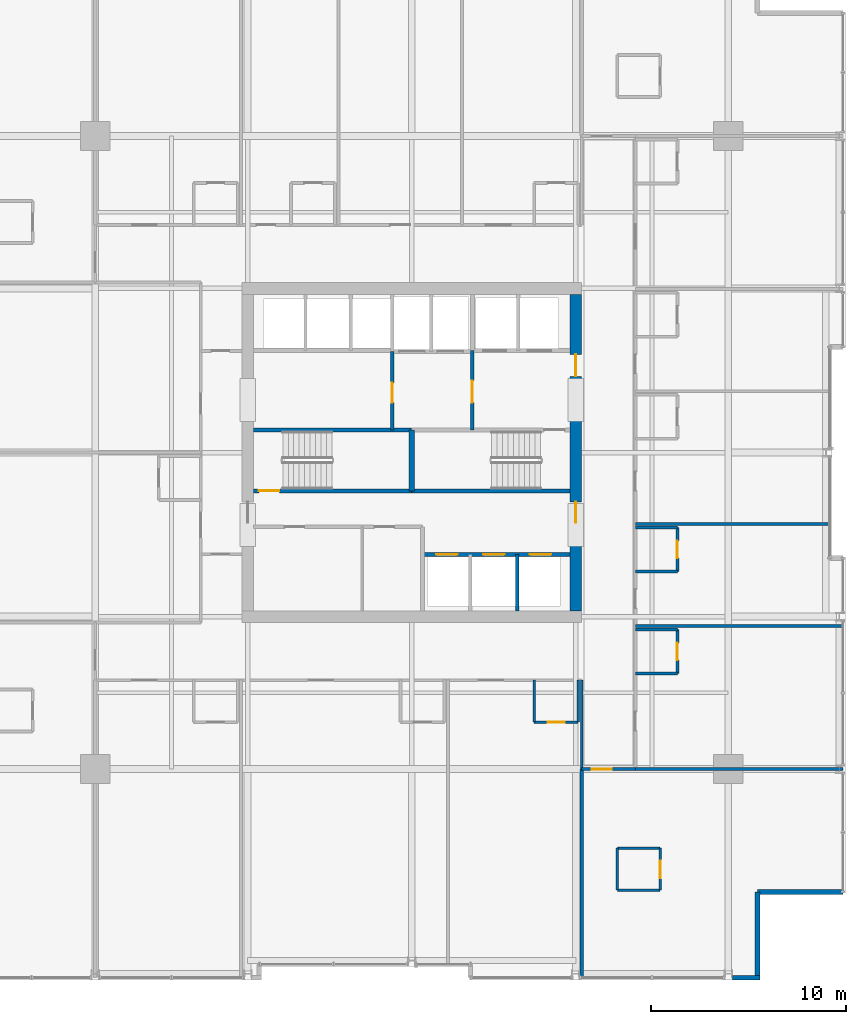
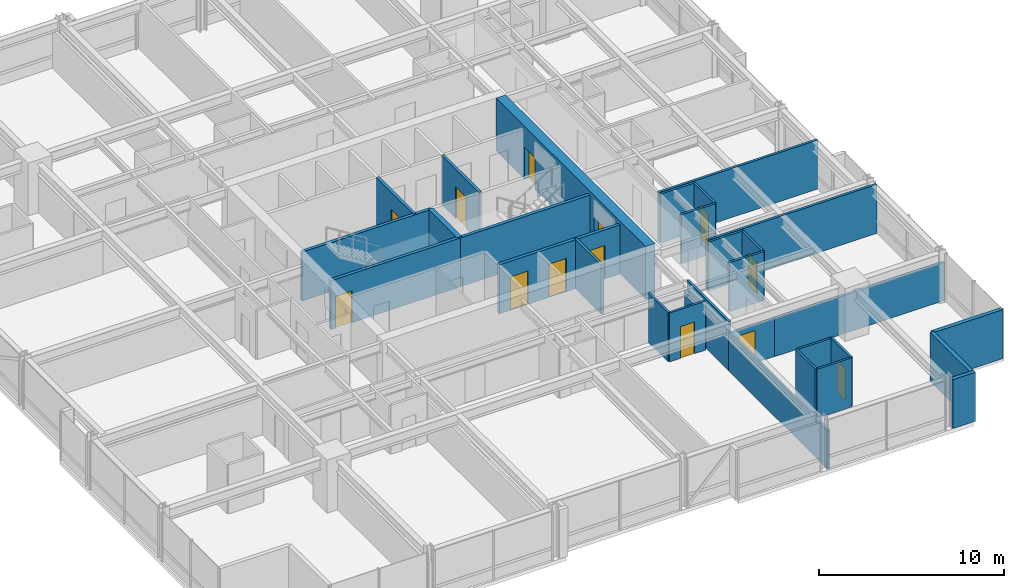
# One storey, part 29 of 35: 31 walls, 13 doors, 13 openings.
"""IFC4 building model written with IfcOpenShell, lengths in metres."""

from ifc_helpers import new_model, si_unit, direction, frame, frame_2d, origin, place, context, subcontext, project, spatial, rectangle, extrude, material, layer, layer_set, type_object, element, fill, save


model = new_model("IFC4")

# Units and contexts
model_context = context("Model", 3, precision=1e-05, world=origin(), true_north=direction((0.0, 1.0)))
body_context = subcontext(model_context, "Body", "Model", "MODEL_VIEW")
ifc_project = project(units=[si_unit("LENGTHUNIT", "METRE"), si_unit("AREAUNIT", "SQUARE_METRE"), si_unit("VOLUMEUNIT", "CUBIC_METRE"), si_unit("PLANEANGLEUNIT", "RADIAN"), si_unit("MASSUNIT", "GRAM", prefix="KILO")], contexts=[model_context])

# Site, building, storey
site_placement = place(None, origin())
site = spatial("IfcSite", under=ifc_project, at=site_placement, CompositionType="ELEMENT")
building_placement = place(site_placement, origin())
building = spatial("IfcBuilding", under=site, at=building_placement, Name="Drelvath Grand Hotel", CompositionType="ELEMENT")
storey_placement = place(building_placement, frame((0.0, 0.0, 123.300048828125)))
storey = spatial("IfcBuildingStorey", under=building, at=storey_placement, Name="L31", CompositionType="ELEMENT", Elevation=123.300048828125)

# Wall, openings, doors
ifc_material_1 = material(Name="Concrete C40/50", Category="concrete")
ifc_layer_1 = layer(ifc_material_1, 0.199951171875)
ifc_layer_set_1 = layer_set([ifc_layer_1], Name="Concrete C40/50")
wall_type_1 = type_object("IfcWallType", Name="Core Hoistway Fire Wall 200", PredefinedType="SOLIDWALL", material=ifc_layer_set_1)
wall_1_placement = place(storey_placement, frame((8.10009765625, 21.780029296875, 0.0), z_axis=(0.0, 0.0, 1.0), x_axis=(-1.0, 0.0, 0.0)))
wall_1 = element("IfcWall", 1, at=wall_1_placement, inside=storey, type_object=wall_type_1, Name="L31 Bank 2 Hoistway Wall", PredefinedType="SOLIDWALL", context=body_context, shape_type="SweptSolid", body=[
    extrude(rectangle(XDim=7.550048828125, YDim=0.199951171875, at=frame_2d((3.77490234375, 0.0))), origin(), (0.0, 0.0, 1.0), 3.239990234375),
])
opening_1_placement = place(wall_1_placement, frame((5.75, 0.0, 0.0)))
opening_1 = element("IfcOpeningElement", 2, at=opening_1_placement, cuts=wall_1, Name="Opening LD-PE-4", PredefinedType="OPENING", context=body_context, shape_type="SweptSolid", body=[
    extrude(rectangle(XDim=1.10009765625, YDim=2.199951171875, at=frame_2d((0.550048828125, 1.10009765625))), frame((0.0, 0.10986328125, 0.0), z_axis=(0.0, -1.0, 0.0), x_axis=(1.0, 0.0, 0.0)), (0.0, 0.0, 1.0), 0.219970703125),
])
opening_2_placement = place(wall_1_placement, frame((3.35009765625, 0.0, 0.0)))
opening_2 = element("IfcOpeningElement", 3, at=opening_2_placement, cuts=wall_1, Name="Opening LD-PE-5", PredefinedType="OPENING", context=body_context, shape_type="SweptSolid", body=[
    extrude(rectangle(XDim=1.10009765625, YDim=2.199951171875, at=frame_2d((0.550048828125, 1.10009765625))), frame((0.0, 0.10986328125, 0.0), z_axis=(0.0, -1.0, 0.0), x_axis=(1.0, 0.0, 0.0)), (0.0, 0.0, 1.0), 0.219970703125),
])
opening_3_placement = place(wall_1_placement, frame((0.949951171875, 0.0, 0.0)))
opening_3 = element("IfcOpeningElement", 4, at=opening_3_placement, cuts=wall_1, Name="Opening LD-PE-6", PredefinedType="OPENING", context=body_context, shape_type="SweptSolid", body=[
    extrude(rectangle(XDim=1.10009765625, YDim=2.199951171875, at=frame_2d((0.550048828125, 1.10009765625))), frame((0.0, 0.10986328125, 0.0), z_axis=(0.0, -1.0, 0.0), x_axis=(1.0, 0.0, 0.0)), (0.0, 0.0, 1.0), 0.219970703125),
])
ifc_material_2 = material(Name="Stainless Steel S355", Category="steel")
door_type_1 = type_object("IfcDoorType", Name="Passenger Lift Sliding Landing Door 1100x2200", OperationType="NOTDEFINED", PredefinedType="DOOR", material=ifc_material_2)
door_1_placement = place(opening_1_placement, origin())
door_1 = element("IfcDoor", 5, at=door_1_placement, inside=storey, type_object=door_type_1, Name="L31 Lift PE-4 Landing Door", OperationType="SLIDING_TO_LEFT", OverallHeight=2.199951171875, OverallWidth=1.10009765625, PredefinedType="DOOR", context=body_context, shape_type="SweptSolid", body=[
    extrude(rectangle(XDim=1.10009765625, YDim=2.199951171875, at=frame_2d((0.550048828125, 1.10009765625))), frame((0.0, 0.02490234375, 0.0), z_axis=(0.0, -1.0, 0.0), x_axis=(1.0, 0.0, 0.0)), (0.0, 0.0, 1.0), 0.050048828125),
])
fill(opening_1, door_1)
door_2_placement = place(opening_2_placement, origin())
door_2 = element("IfcDoor", 6, at=door_2_placement, inside=storey, type_object=door_type_1, Name="L31 Lift PE-5 Landing Door", OperationType="SLIDING_TO_LEFT", OverallHeight=2.199951171875, OverallWidth=1.10009765625, PredefinedType="DOOR", context=body_context, shape_type="SweptSolid", body=[
    extrude(rectangle(XDim=1.10009765625, YDim=2.199951171875, at=frame_2d((0.550048828125, 1.10009765625))), frame((0.0, 0.02490234375, 0.0), z_axis=(0.0, -1.0, 0.0), x_axis=(1.0, 0.0, 0.0)), (0.0, 0.0, 1.0), 0.050048828125),
])
fill(opening_2, door_2)
door_3_placement = place(opening_3_placement, origin())
door_3 = element("IfcDoor", 7, at=door_3_placement, inside=storey, type_object=door_type_1, Name="L31 Lift PE-6 Landing Door", OperationType="SLIDING_TO_LEFT", OverallHeight=2.199951171875, OverallWidth=1.10009765625, PredefinedType="DOOR", context=body_context, shape_type="SweptSolid", body=[
    extrude(rectangle(XDim=1.10009765625, YDim=2.199951171875, at=frame_2d((0.550048828125, 1.10009765625))), frame((0.0, 0.02490234375, 0.0), z_axis=(0.0, -1.0, 0.0), x_axis=(1.0, 0.0, 0.0)), (0.0, 0.0, 1.0), 0.050048828125),
])
fill(opening_3, door_3)

# Wall, opening, door
ifc_layer_2 = layer(ifc_material_1, 0.199951171875)
ifc_layer_set_2 = layer_set([ifc_layer_2], Name="Concrete C40/50")
wall_type_2 = type_object("IfcWallType", Name="Core Shaft Fire Wall 200", PredefinedType="SOLIDWALL", material=ifc_layer_set_2)
wall_2_placement = place(storey_placement, frame((-8.10009765625, 25.0400390625, 0.0), z_axis=(0.0, 0.0, 1.0), x_axis=(1.0, 0.0, 0.0)))
wall_2 = element("IfcWall", 8, at=wall_2_placement, inside=storey, type_object=wall_type_2, Name="L31 Stair ST-1 South Wall", PredefinedType="SOLIDWALL", context=body_context, shape_type="SweptSolid", body=[
    extrude(rectangle(XDim=8.10009765625, YDim=0.199951171875, at=frame_2d((4.050048828125, 0.0))), origin(), (0.0, 0.0, 1.0), 3.239990234375),
])
opening_4_placement = place(wall_2_placement, frame((0.280029296875, 0.0, 0.0)))
opening_4 = element("IfcOpeningElement", 9, at=opening_4_placement, cuts=wall_2, Name="Opening D-T2G4-001", PredefinedType="OPENING", context=body_context, shape_type="SweptSolid", body=[
    extrude(rectangle(XDim=1.050048828125, YDim=2.10009765625, at=frame_2d((0.52490234375, 1.050048828125))), frame((0.0, 0.10986328125, 0.0), z_axis=(0.0, -1.0, 0.0), x_axis=(1.0, 0.0, 0.0)), (0.0, 0.0, 1.0), 0.219970703125),
])
ifc_material_3 = material(Name="Painted Steel S275", Category="steel")
door_type_2 = type_object("IfcDoorType", Name="Tower Stairwell Fire Door 1050x2100", OperationType="NOTDEFINED", PredefinedType="DOOR", material=ifc_material_3)
door_4_placement = place(opening_4_placement, origin())
door_4 = element("IfcDoor", 10, at=door_4_placement, inside=storey, type_object=door_type_2, Name="L31 Exit Stair ST-1 Door", OperationType="SINGLE_SWING_LEFT", OverallHeight=2.10009765625, OverallWidth=1.050048828125, PredefinedType="DOOR", context=body_context, shape_type="SweptSolid", body=[
    extrude(rectangle(XDim=1.050048828125, YDim=2.10009765625, at=frame_2d((0.52490234375, 1.050048828125))), frame((0.0, 0.02490234375, 0.0), z_axis=(0.0, -1.0, 0.0), x_axis=(1.0, 0.0, 0.0)), (0.0, 0.0, 1.0), 0.050048828125),
])
fill(opening_4, door_4)

# Walls
for number, where, z_axis, x_axis, name in (
    (11, (-8.10009765625, 28.159912109375, 0.0), (0.0, 0.0, 1.0), (1.0, 0.0, 0.0), "L31 Stair ST-1 North Wall"),
    (12, (0.0, 25.0400390625, 0.0), (0.0, 0.0, 1.0), (1.0, 0.0, 0.0), "L31 Stair ST-2 South Wall"),
):
    element("IfcWall", number, at=place(storey_placement, frame(where, z_axis=z_axis, x_axis=x_axis)), inside=storey, type_object=wall_type_2, Name=name, PredefinedType="SOLIDWALL", context=body_context, shape_type="SweptSolid", body=[
        extrude(rectangle(XDim=8.10009765625, YDim=0.199951171875, at=frame_2d((4.050048828125, 0.0))), origin(), (0.0, 0.0, 1.0), 3.239990234375),
    ])
ifc_layer_3 = layer(ifc_material_1, 0.300048828125)
ifc_layer_set_3 = layer_set([ifc_layer_3], Name="Concrete C40/50")
wall_type_3 = type_object("IfcWallType", Name="Core Shaft Fire Wall 300", PredefinedType="SOLIDWALL", material=ifc_layer_set_3)
wall_3_placement = place(storey_placement, frame((0.0, 25.0400390625, 0.0), z_axis=(0.0, 0.0, 1.0), x_axis=(0.0, 1.0, 0.0)))
element("IfcWall", 13, at=wall_3_placement, inside=storey, type_object=wall_type_3, Name="L31 Core Stair Divider Wall", PredefinedType="SOLIDWALL", context=body_context, shape_type="SweptSolid", body=[
    extrude(rectangle(XDim=3.119873046875, YDim=0.300048828125, at=frame_2d((1.56005859375, 0.0))), origin(), (0.0, 0.0, 1.0), 3.239990234375),
])
ifc_material_4 = material(Name="Gypsum Fireboard Partition")
ifc_layer_4 = layer(ifc_material_4, 0.1650390625)
ifc_layer_set_4 = layer_set([ifc_layer_4], Name="Gypsum Fireboard Partition")
wall_type_4 = type_object("IfcWallType", Name="Core Shaft Partition 165", PredefinedType="PARTITIONING", material=ifc_layer_set_4)
wall_4_placement = place(storey_placement, frame((5.39990234375, 18.89990234375, 0.0), z_axis=(0.0, 0.0, 1.0), x_axis=(0.0, 1.0, 0.0)))
element("IfcWall", 14, at=wall_4_placement, inside=storey, type_object=wall_type_4, Name="L31 Lift PE-5/6 Divider", PredefinedType="PARTITIONING", context=body_context, shape_type="SweptSolid", body=[
    extrude(rectangle(XDim=2.880126953125, YDim=0.1650390625, at=frame_2d((1.43994140625, 0.0))), origin(), (0.0, 0.0, 1.0), 3.239990234375),
])
ifc_layer_5 = layer(ifc_material_4, 0.135009765625)
ifc_layer_set_5 = layer_set([ifc_layer_5], Name="Gypsum Fireboard Partition")
wall_type_5 = type_object("IfcWallType", Name="Corridor Fire Barrier Wall 135", PredefinedType="PARTITIONING", material=ifc_layer_set_5)
wall_5_placement = place(storey_placement, frame((8.699951171875, 10.800048828125, 0.0), z_axis=(0.0, 0.0, 1.0), x_axis=(0.0, 1.0, 0.0)))
element("IfcWall", 15, at=wall_5_placement, inside=storey, type_object=wall_type_5, Name="L31 East Spine South Inner Wall", PredefinedType="PARTITIONING", context=body_context, shape_type="SweptSolid", body=[
    extrude(rectangle(XDim=4.550048828125, YDim=0.135009765625, at=frame_2d((2.27490234375, 0.0))), origin(), (0.0, 0.0, 1.0), 3.239990234375),
])

# Wall, opening, door
wall_6_placement = place(storey_placement, frame((8.699951171875, 10.800048828125, 0.0), z_axis=(0.0, 0.0, 1.0), x_axis=(1.0, 0.0, 0.0)))
wall_6 = element("IfcWall", 16, at=wall_6_placement, inside=storey, type_object=wall_type_5, Name="L31 East Spine South End", PredefinedType="PARTITIONING", context=body_context, shape_type="SweptSolid", body=[
    extrude(rectangle(XDim=2.75, YDim=0.135009765625, at=frame_2d((1.375, 0.0))), origin(), (0.0, 0.0, 1.0), 2.529541015625),
])
opening_5_placement = place(wall_6_placement, frame((0.52001953125, 0.0, 0.0)))
opening_5 = element("IfcOpeningElement", 17, at=opening_5_placement, cuts=wall_6, Name="Opening D-T2G4-024", PredefinedType="OPENING", context=body_context, shape_type="SweptSolid", body=[
    extrude(rectangle(XDim=1.02001953125, YDim=2.14990234375, at=frame_2d((0.510009765625, 1.074951171875))), frame((0.0, 0.077392578125, 0.0), z_axis=(0.0, -1.0, 0.0), x_axis=(1.0, 0.0, 0.0)), (0.0, 0.0, 1.0), 0.155029296875),
])
ifc_material_5 = material(Name="Hardwood Walnut Timber", Category="wood")
door_type_3 = type_object("IfcDoorType", Name="Amenity Meeting Fire Door 1020x2150", OperationType="NOTDEFINED", PredefinedType="DOOR", material=ifc_material_5)
door_5_placement = place(opening_5_placement, origin())
door_5 = element("IfcDoor", 18, at=door_5_placement, inside=storey, type_object=door_type_3, Name="L31 Corner Suite Entry Door", OperationType="SINGLE_SWING_LEFT", OverallHeight=2.14990234375, OverallWidth=1.02001953125, PredefinedType="DOOR", context=body_context, shape_type="SweptSolid", body=[
    extrude(rectangle(XDim=1.02001953125, YDim=2.14990234375, at=frame_2d((0.510009765625, 1.074951171875))), frame((0.0, 0.02490234375, 0.0), z_axis=(0.0, -1.0, 0.0), x_axis=(1.0, 0.0, 0.0)), (0.0, 0.0, 1.0), 0.050048828125),
])
fill(opening_5, door_5)

# Walls
ifc_material_6 = material(Name="Moisture-Resistant Gypsum Board")
ifc_layer_6 = layer(ifc_material_6, 0.139892578125)
ifc_layer_set_6 = layer_set([ifc_layer_6], Name="Moisture-Resistant Gypsum Board")
wall_type_6 = type_object("IfcWallType", Name="En-Suite Plumbing Wall 140", PredefinedType="PLUMBINGWALL", material=ifc_layer_set_6)
for number, where, z_axis, x_axis, name in (
    (19, (10.52001953125, 4.60009765625, 0.0), (0.0, 0.0, 1.0), (1.0, 0.0, 0.0), "L31 Corner En-Suite South"),
    (20, (10.52001953125, 6.75, 0.0), (0.0, 0.0, 1.0), (1.0, 0.0, 0.0), "L31 Corner En-Suite North"),
):
    element("IfcWall", number, at=place(storey_placement, frame(where, z_axis=z_axis, x_axis=x_axis)), inside=storey, type_object=wall_type_6, Name=name, PredefinedType="PLUMBINGWALL", context=body_context, shape_type="SweptSolid", body=[
        extrude(rectangle(XDim=2.199951171875, YDim=0.139892578125, at=frame_2d((1.10009765625, 0.0))), origin(), (0.0, 0.0, 1.0), 3.239990234375),
    ])
wall_7_placement = place(storey_placement, frame((10.52001953125, 4.60009765625, 0.0), z_axis=(0.0, 0.0, 1.0), x_axis=(0.0, 1.0, 0.0)))
element("IfcWall", 21, at=wall_7_placement, inside=storey, type_object=wall_type_6, Name="L31 Corner En-Suite West", PredefinedType="PLUMBINGWALL", context=body_context, shape_type="SweptSolid", body=[
    extrude(rectangle(XDim=2.14990234375, YDim=0.139892578125, at=frame_2d((1.074951171875, 0.0))), origin(), (0.0, 0.0, 1.0), 3.239990234375),
])

# Wall, opening, door
wall_8_placement = place(storey_placement, frame((12.719970703125, 4.60009765625, 0.0), z_axis=(0.0, 0.0, 1.0), x_axis=(0.0, 1.0, 0.0)))
wall_8 = element("IfcWall", 22, at=wall_8_placement, inside=storey, type_object=wall_type_6, Name="L31 Corner En-Suite East", PredefinedType="PLUMBINGWALL", context=body_context, shape_type="SweptSolid", body=[
    extrude(rectangle(XDim=2.14990234375, YDim=0.139892578125, at=frame_2d((1.074951171875, 0.0))), origin(), (0.0, 0.0, 1.0), 3.239990234375),
])
opening_6_placement = place(wall_8_placement, frame((0.6201171875, 0.0, 0.0)))
opening_6 = element("IfcOpeningElement", 23, at=opening_6_placement, cuts=wall_8, Name="Opening D-T2G4-023", PredefinedType="OPENING", context=body_context, shape_type="SweptSolid", body=[
    extrude(rectangle(XDim=0.8798828125, YDim=2.10009765625, at=frame_2d((0.43994140625, 1.050048828125))), frame((0.0, 0.079833984375, 0.0), z_axis=(0.0, -1.0, 0.0), x_axis=(1.0, 0.0, 0.0)), (0.0, 0.0, 1.0), 0.159912109375),
])
door_type_4 = type_object("IfcDoorType", Name="En-Suite Bathroom Door 880x2100", OperationType="NOTDEFINED", PredefinedType="DOOR", material=ifc_material_5)
door_6_placement = place(opening_6_placement, origin())
door_6 = element("IfcDoor", 24, at=door_6_placement, inside=storey, type_object=door_type_4, Name="L31 Corner En-Suite Door", OperationType="SINGLE_SWING_RIGHT", OverallHeight=2.10009765625, OverallWidth=0.8798828125, PredefinedType="DOOR", context=body_context, shape_type="SweptSolid", body=[
    extrude(rectangle(XDim=0.8798828125, YDim=2.10009765625, at=frame_2d((0.43994140625, 1.050048828125))), frame((0.0, 0.02490234375, 0.0), z_axis=(0.0, -1.0, 0.0), x_axis=(1.0, 0.0, 0.0)), (0.0, 0.0, 1.0), 0.050048828125),
])
fill(opening_6, door_6)

# Walls
wall_9_placement = place(storey_placement, frame((6.27001953125, 15.35009765625, 0.0), z_axis=(0.0, 0.0, 1.0), x_axis=(0.0, -1.0, 0.0)))
element("IfcWall", 25, at=wall_9_placement, inside=storey, type_object=wall_type_6, Name="L31 En-Suite Left Wall", PredefinedType="PLUMBINGWALL", context=body_context, shape_type="SweptSolid", body=[
    extrude(rectangle(XDim=2.150146484375, YDim=0.139892578125, at=frame_2d((1.0751953125, 0.0))), origin(), (0.0, 0.0, 1.0), 3.239990234375),
])
wall_10_placement = place(storey_placement, frame((8.52001953125, 15.35009765625, 0.0), z_axis=(0.0, 0.0, 1.0), x_axis=(0.0, -1.0, 0.0)))
element("IfcWall", 26, at=wall_10_placement, inside=storey, type_object=wall_type_6, Name="L31 En-Suite Right Wall", PredefinedType="PLUMBINGWALL", context=body_context, shape_type="SweptSolid", body=[
    extrude(rectangle(XDim=2.150146484375, YDim=0.139892578125, at=frame_2d((1.0751953125, 0.0))), origin(), (0.0, 0.0, 1.0), 2.617431640625),
])

# Wall, opening, door
wall_11_placement = place(storey_placement, frame((6.27001953125, 13.199951171875, 0.0), z_axis=(0.0, 0.0, 1.0), x_axis=(1.0, 0.0, 0.0)))
wall_11 = element("IfcWall", 27, at=wall_11_placement, inside=storey, type_object=wall_type_6, Name="L31 En-Suite Front Wall", PredefinedType="PLUMBINGWALL", context=body_context, shape_type="SweptSolid", body=[
    extrude(rectangle(XDim=2.25, YDim=0.139892578125, at=frame_2d((1.125, 0.0))), origin(), (0.0, 0.0, 1.0), 3.239990234375),
])
opening_7_placement = place(wall_11_placement, frame((0.68505859375, 0.0, 0.0)))
opening_7 = element("IfcOpeningElement", 28, at=opening_7_placement, cuts=wall_11, Name="Opening D-T2G4-031", PredefinedType="OPENING", context=body_context, shape_type="SweptSolid", body=[
    extrude(rectangle(XDim=0.8798828125, YDim=2.10009765625, at=frame_2d((0.43994140625, 1.050048828125))), frame((0.0, 0.079833984375, 0.0), z_axis=(0.0, -1.0, 0.0), x_axis=(1.0, 0.0, 0.0)), (0.0, 0.0, 1.0), 0.159912109375),
])
door_7_placement = place(opening_7_placement, origin())
door_7 = element("IfcDoor", 29, at=door_7_placement, inside=storey, type_object=door_type_4, Name="L31 En-Suite Bathroom Door", OperationType="SINGLE_SWING_RIGHT", OverallHeight=2.10009765625, OverallWidth=0.8798828125, PredefinedType="DOOR", context=body_context, shape_type="SweptSolid", body=[
    extrude(rectangle(XDim=0.8798828125, YDim=2.10009765625, at=frame_2d((0.43994140625, 1.050048828125))), frame((0.0, 0.02490234375, 0.0), z_axis=(0.0, -1.0, 0.0), x_axis=(1.0, 0.0, 0.0)), (0.0, 0.0, 1.0), 0.050048828125),
])
fill(opening_7, door_7)

# Walls
for number, where, z_axis, x_axis, name in (
    (30, (11.449951171875, 15.68603515625, 0.0), (0.0, 0.0, 1.0), (1.0, 0.0, 0.0), "L31 En-Suite Left Wall"),
    (31, (11.449951171875, 17.93603515625, 0.0), (0.0, 0.0, 1.0), (1.0, 0.0, 0.0), "L31 En-Suite Right Wall"),
):
    element("IfcWall", number, at=place(storey_placement, frame(where, z_axis=z_axis, x_axis=x_axis)), inside=storey, type_object=wall_type_6, Name=name, PredefinedType="PLUMBINGWALL", context=body_context, shape_type="SweptSolid", body=[
        extrude(rectangle(XDim=2.150146484375, YDim=0.139892578125, at=frame_2d((1.0751953125, 0.0))), origin(), (0.0, 0.0, 1.0), 3.239990234375),
    ])

# Wall, opening, door
wall_12_placement = place(storey_placement, frame((13.60009765625, 15.68603515625, 0.0), z_axis=(0.0, 0.0, 1.0), x_axis=(0.0, 1.0, 0.0)))
wall_12 = element("IfcWall", 32, at=wall_12_placement, inside=storey, type_object=wall_type_6, Name="L31 En-Suite Front Wall", PredefinedType="PLUMBINGWALL", context=body_context, shape_type="SweptSolid", body=[
    extrude(rectangle(XDim=2.25, YDim=0.139892578125, at=frame_2d((1.125, 0.0))), origin(), (0.0, 0.0, 1.0), 3.239990234375),
])
opening_8_placement = place(wall_12_placement, frame((0.68505859375, 0.0, 0.0)))
opening_8 = element("IfcOpeningElement", 33, at=opening_8_placement, cuts=wall_12, Name="Opening D-T2G4-040", PredefinedType="OPENING", context=body_context, shape_type="SweptSolid", body=[
    extrude(rectangle(XDim=0.8798828125, YDim=2.10009765625, at=frame_2d((0.43994140625, 1.050048828125))), frame((0.0, 0.079833984375, 0.0), z_axis=(0.0, -1.0, 0.0), x_axis=(1.0, 0.0, 0.0)), (0.0, 0.0, 1.0), 0.159912109375),
])
door_8_placement = place(opening_8_placement, origin())
door_8 = element("IfcDoor", 34, at=door_8_placement, inside=storey, type_object=door_type_4, Name="L31 En-Suite Bathroom Door", OperationType="SINGLE_SWING_LEFT", OverallHeight=2.10009765625, OverallWidth=0.8798828125, PredefinedType="DOOR", context=body_context, shape_type="SweptSolid", body=[
    extrude(rectangle(XDim=0.8798828125, YDim=2.10009765625, at=frame_2d((0.43994140625, 1.050048828125))), frame((0.0, 0.02490234375, 0.0), z_axis=(0.0, -1.0, 0.0), x_axis=(1.0, 0.0, 0.0)), (0.0, 0.0, 1.0), 0.050048828125),
])
fill(opening_8, door_8)

# Walls
for number, where, z_axis, x_axis, name in (
    (35, (11.449951171875, 20.911865234375, 0.0), (0.0, 0.0, 1.0), (1.0, 0.0, 0.0), "L31 En-Suite Left Wall"),
    (36, (11.449951171875, 23.161865234375, 0.0), (0.0, 0.0, 1.0), (1.0, 0.0, 0.0), "L31 En-Suite Right Wall"),
):
    element("IfcWall", number, at=place(storey_placement, frame(where, z_axis=z_axis, x_axis=x_axis)), inside=storey, type_object=wall_type_6, Name=name, PredefinedType="PLUMBINGWALL", context=body_context, shape_type="SweptSolid", body=[
        extrude(rectangle(XDim=2.150146484375, YDim=0.139892578125, at=frame_2d((1.0751953125, 0.0))), origin(), (0.0, 0.0, 1.0), 3.239990234375),
    ])

# Wall, opening, door
wall_13_placement = place(storey_placement, frame((13.60009765625, 20.911865234375, 0.0), z_axis=(0.0, 0.0, 1.0), x_axis=(0.0, 1.0, 0.0)))
wall_13 = element("IfcWall", 37, at=wall_13_placement, inside=storey, type_object=wall_type_6, Name="L31 En-Suite Front Wall", PredefinedType="PLUMBINGWALL", context=body_context, shape_type="SweptSolid", body=[
    extrude(rectangle(XDim=2.25, YDim=0.139892578125, at=frame_2d((1.125, 0.0))), origin(), (0.0, 0.0, 1.0), 3.239990234375),
])
opening_9_placement = place(wall_13_placement, frame((0.68505859375, 0.0, 0.0)))
opening_9 = element("IfcOpeningElement", 38, at=opening_9_placement, cuts=wall_13, Name="Opening D-T2G4-042", PredefinedType="OPENING", context=body_context, shape_type="SweptSolid", body=[
    extrude(rectangle(XDim=0.8798828125, YDim=2.10009765625, at=frame_2d((0.43994140625, 1.050048828125))), frame((0.0, 0.079833984375, 0.0), z_axis=(0.0, -1.0, 0.0), x_axis=(1.0, 0.0, 0.0)), (0.0, 0.0, 1.0), 0.159912109375),
])
door_9_placement = place(opening_9_placement, origin())
door_9 = element("IfcDoor", 39, at=door_9_placement, inside=storey, type_object=door_type_4, Name="L31 En-Suite Bathroom Door", OperationType="SINGLE_SWING_LEFT", OverallHeight=2.10009765625, OverallWidth=0.8798828125, PredefinedType="DOOR", context=body_context, shape_type="SweptSolid", body=[
    extrude(rectangle(XDim=0.8798828125, YDim=2.10009765625, at=frame_2d((0.43994140625, 1.050048828125))), frame((0.0, 0.02490234375, 0.0), z_axis=(0.0, -1.0, 0.0), x_axis=(1.0, 0.0, 0.0)), (0.0, 0.0, 1.0), 0.050048828125),
])
fill(opening_9, door_9)

ifc_layer_7 = layer(ifc_material_4, 0.179931640625)
ifc_layer_set_7 = layer_set([ifc_layer_7], Name="Gypsum Fireboard Partition")
wall_type_7 = type_object("IfcWallType", Name="FSAE Smoke Lobby Fire Wall 180", PredefinedType="SOLIDWALL", material=ifc_layer_set_7)
wall_14_placement = place(storey_placement, frame((3.10009765625, 28.159912109375, 0.0), z_axis=(0.0, 0.0, 1.0), x_axis=(0.0, 1.0, 0.0)))
wall_14 = element("IfcWall", 40, at=wall_14_placement, inside=storey, type_object=wall_type_7, Name="L31 FSAE Smoke Lobby West Wall", PredefinedType="SOLIDWALL", context=body_context, shape_type="SweptSolid", body=[
    extrude(rectangle(XDim=4.06005859375, YDim=0.179931640625, at=frame_2d((2.030029296875, 0.0))), origin(), (0.0, 0.0, 1.0), 3.239990234375),
])
opening_10_placement = place(wall_14_placement, frame((1.39990234375, 0.0, 0.0)))
opening_10 = element("IfcOpeningElement", 41, at=opening_10_placement, cuts=wall_14, Name="Opening D-T2G4-005", PredefinedType="OPENING", context=body_context, shape_type="SweptSolid", body=[
    extrude(rectangle(XDim=1.1201171875, YDim=2.10009765625, at=frame_2d((0.56005859375, 1.050048828125))), frame((0.0, 0.099853515625, 0.0), z_axis=(0.0, -1.0, 0.0), x_axis=(1.0, 0.0, 0.0)), (0.0, 0.0, 1.0), 0.199951171875),
])
door_type_5 = type_object("IfcDoorType", Name="FSAE Smoke Lobby Fire Door 1120x2100", OperationType="NOTDEFINED", PredefinedType="DOOR", material=ifc_material_3)
door_10_placement = place(opening_10_placement, origin())
door_10 = element("IfcDoor", 42, at=door_10_placement, inside=storey, type_object=door_type_5, Name="L31 FSAE Lobby Service Vestibule Door", OperationType="SINGLE_SWING_RIGHT", OverallHeight=2.10009765625, OverallWidth=1.1201171875, PredefinedType="DOOR", context=body_context, shape_type="SweptSolid", body=[
    extrude(rectangle(XDim=1.1201171875, YDim=2.10009765625, at=frame_2d((0.56005859375, 1.050048828125))), frame((0.0, 0.02490234375, 0.0), z_axis=(0.0, -1.0, 0.0), x_axis=(1.0, 0.0, 0.0)), (0.0, 0.0, 1.0), 0.050048828125),
])
fill(opening_10, door_10)

wall_15_placement = place(storey_placement, frame((-1.0, 28.159912109375, 0.0), z_axis=(0.0, 0.0, 1.0), x_axis=(0.0, 1.0, 0.0)))
wall_15 = element("IfcWall", 43, at=wall_15_placement, inside=storey, type_object=wall_type_7, Name="L31 Service Vestibule West Wall", PredefinedType="SOLIDWALL", context=body_context, shape_type="SweptSolid", body=[
    extrude(rectangle(XDim=4.02001953125, YDim=0.179931640625, at=frame_2d((2.010009765625, 0.0))), origin(), (0.0, 0.0, 1.0), 3.239990234375),
])
opening_11_placement = place(wall_15_placement, frame((1.39990234375, 0.0, 0.0)))
opening_11 = element("IfcOpeningElement", 44, at=opening_11_placement, cuts=wall_15, Name="Opening D-T2G4-009", PredefinedType="OPENING", context=body_context, shape_type="SweptSolid", body=[
    extrude(rectangle(XDim=1.0, YDim=2.10009765625, at=frame_2d((0.5, 1.050048828125))), frame((0.0, 0.099853515625, 0.0), z_axis=(0.0, -1.0, 0.0), x_axis=(1.0, 0.0, 0.0)), (0.0, 0.0, 1.0), 0.199951171875),
])
door_type_6 = type_object("IfcDoorType", Name="Core Service Fire Door 1000x2100", OperationType="NOTDEFINED", PredefinedType="DOOR", material=ifc_material_3)
door_11_placement = place(opening_11_placement, origin())
door_11 = element("IfcDoor", 45, at=door_11_placement, inside=storey, type_object=door_type_6, Name="L31 Service Vestibule West Door", OperationType="SINGLE_SWING_LEFT", OverallHeight=2.10009765625, OverallWidth=1.0, PredefinedType="DOOR", context=body_context, shape_type="SweptSolid", body=[
    extrude(rectangle(XDim=1.0, YDim=2.10009765625, at=frame_2d((0.5, 1.050048828125))), frame((0.0, 0.02490234375, 0.0), z_axis=(0.0, -1.0, 0.0), x_axis=(1.0, 0.0, 0.0)), (0.0, 0.0, 1.0), 0.050048828125),
])
fill(opening_11, door_11)

# Walls
ifc_material_7 = material(Name="Gypsum Acoustic Partition")
ifc_layer_8 = layer(ifc_material_7, 0.14990234375)
ifc_layer_set_8 = layer_set([ifc_layer_8], Name="Gypsum Acoustic Partition")
wall_type_8 = type_object("IfcWallType", Name="Guestroom Demising Wall 150", PredefinedType="PARTITIONING", material=ifc_layer_set_8)
wall_16_placement = place(storey_placement, frame((11.449951171875, 18.1162109375, 0.0), z_axis=(0.0, 0.0, 1.0), x_axis=(1.0, 0.0, 0.0)))
element("IfcWall", 46, at=wall_16_placement, inside=storey, type_object=wall_type_8, Name="L31 East Demising 1", PredefinedType="PARTITIONING", context=body_context, shape_type="SweptSolid", body=[
    extrude(rectangle(XDim=10.630126953125, YDim=0.14990234375, at=frame_2d((5.31494140625, 0.0))), origin(), (0.0, 0.0, 1.0), 3.239990234375),
])
wall_17_placement = place(storey_placement, frame((11.449951171875, 23.341796875, 0.0), z_axis=(0.0, 0.0, 1.0), x_axis=(1.0, 0.0, 0.0)))
element("IfcWall", 47, at=wall_17_placement, inside=storey, type_object=wall_type_8, Name="L31 East Demising 2", PredefinedType="PARTITIONING", context=body_context, shape_type="SweptSolid", body=[
    extrude(rectangle(XDim=9.949951171875, YDim=0.14990234375, at=frame_2d((4.97509765625, 0.0))), origin(), (0.0, 0.0, 1.0), 3.239990234375),
])

# Wall, openings, doors
ifc_material_8 = material(Name="Concrete f'c 70 MPa", Category="concrete")
ifc_layer_9 = layer(ifc_material_8, 0.60009765625)
ifc_layer_set_9 = layer_set([ifc_layer_9], Name="Concrete f'c 70 MPa")
wall_type_9 = type_object("IfcWallType", Name="Lower Core RC Shear Wall 600", PredefinedType="SHEAR", material=ifc_layer_set_9)
wall_18_placement = place(storey_placement, frame((8.39990234375, 35.10009765625, 0.0), z_axis=(0.0, 0.0, 1.0), x_axis=(0.0, -1.0, 0.0)))
wall_18 = element("IfcWall", 48, at=wall_18_placement, inside=storey, type_object=wall_type_9, Name="L31 Central Core Shear Wall E", PredefinedType="SHEAR", context=body_context, shape_type="SweptSolid", body=[
    extrude(rectangle(XDim=16.2001953125, YDim=0.60009765625, at=frame_2d((8.10009765625, 0.0))), origin(), (0.0, 0.0, 1.0), 3.5),
])
opening_12_placement = place(wall_18_placement, frame((3.080078125, 0.0, 0.0)))
opening_12 = element("IfcOpeningElement", 49, at=opening_12_placement, cuts=wall_18, Name="Opening D-T2G4-006", PredefinedType="OPENING", context=body_context, shape_type="SweptSolid", body=[
    extrude(rectangle(XDim=1.1201171875, YDim=2.10009765625, at=frame_2d((0.56005859375, 1.050048828125))), frame((0.0, 0.31005859375, 0.0), z_axis=(0.0, -1.0, 0.0), x_axis=(1.0, 0.0, 0.0)), (0.0, 0.0, 1.0), 0.6201171875),
])
opening_13_placement = place(wall_18_placement, frame((10.6201171875, 0.0, 0.0)))
opening_13 = element("IfcOpeningElement", 50, at=opening_13_placement, cuts=wall_18, Name="Opening D-T2G4-014", PredefinedType="OPENING", context=body_context, shape_type="SweptSolid", body=[
    extrude(rectangle(XDim=1.080078125, YDim=2.0400390625, at=frame_2d((0.5400390625, 1.02001953125))), frame((0.0, 0.31005859375, 0.0), z_axis=(0.0, -1.0, 0.0), x_axis=(1.0, 0.0, 0.0)), (0.0, 0.0, 1.0), 0.6201171875),
])
door_type_7 = type_object("IfcDoorType", Name="Core Corridor Fire Door 1080x2100", OperationType="NOTDEFINED", PredefinedType="DOOR", material=ifc_material_3)
door_12_placement = place(opening_13_placement, origin())
door_12 = element("IfcDoor", 51, at=door_12_placement, inside=storey, type_object=door_type_7, Name="L31 Mid-Rise Lobby East Door", OperationType="SINGLE_SWING_LEFT", OverallHeight=2.0400390625, OverallWidth=1.080078125, PredefinedType="DOOR", context=body_context, shape_type="SweptSolid", body=[
    extrude(rectangle(XDim=1.080078125, YDim=2.0400390625, at=frame_2d((0.5400390625, 1.02001953125))), frame((0.0, 0.02490234375, 0.0), z_axis=(0.0, -1.0, 0.0), x_axis=(1.0, 0.0, 0.0)), (0.0, 0.0, 1.0), 0.050048828125),
])
fill(opening_13, door_12)
door_13_placement = place(opening_12_placement, origin())
door_13 = element("IfcDoor", 52, at=door_13_placement, inside=storey, type_object=door_type_5, Name="L31 FSAE Lobby East Corridor Door", OperationType="SINGLE_SWING_LEFT", OverallHeight=2.10009765625, OverallWidth=1.1201171875, PredefinedType="DOOR", context=body_context, shape_type="SweptSolid", body=[
    extrude(rectangle(XDim=1.1201171875, YDim=2.10009765625, at=frame_2d((0.56005859375, 1.050048828125))), frame((0.0, 0.02490234375, 0.0), z_axis=(0.0, -1.0, 0.0), x_axis=(1.0, 0.0, 0.0)), (0.0, 0.0, 1.0), 0.050048828125),
])
fill(opening_12, door_13)

# Walls
ifc_layer_10 = layer(ifc_material_7, 0.1650390625)
ifc_layer_set_10 = layer_set([ifc_layer_10], Name="Gypsum Acoustic Partition")
wall_type_10 = type_object("IfcWallType", Name="Suite Demising Wall 165", PredefinedType="PARTITIONING", material=ifc_layer_set_10)
wall_19_placement = place(storey_placement, frame((8.699951171875, 0.1201171875, 0.0), z_axis=(0.0, 0.0, 1.0), x_axis=(0.0, 1.0, 0.0)))
element("IfcWall", 53, at=wall_19_placement, inside=storey, type_object=wall_type_10, Name="L31 SE Suite West Wall", PredefinedType="PARTITIONING", context=body_context, shape_type="SweptSolid", body=[
    extrude(rectangle(XDim=10.679931640625, YDim=0.1650390625, at=frame_2d((5.33984375, 0.0))), origin(), (0.0, 0.0, 1.0), 2.529541015625),
])
wall_20_placement = place(storey_placement, frame((11.449951171875, 10.800048828125, 0.0), z_axis=(0.0, 0.0, 1.0), x_axis=(1.0, 0.0, 0.0)))
element("IfcWall", 54, at=wall_20_placement, inside=storey, type_object=wall_type_10, Name="L31 SE Suite North Wall", PredefinedType="PARTITIONING", context=body_context, shape_type="SweptSolid", body=[
    extrude(rectangle(XDim=10.630126953125, YDim=0.1650390625, at=frame_2d((5.31494140625, 0.0))), origin(), (0.0, 0.0, 1.0), 2.529541015625),
])
ifc_material_9 = material(Name="Pale-Metal Insulated Aluminium Spandrel Assembly", Category="aluminium")
ifc_layer_11 = layer(ifc_material_9, 0.239990234375)
ifc_layer_set_11 = layer_set([ifc_layer_11], Name="Pale-Metal Insulated Aluminium Spandrel Assembly")
wall_type_11 = type_object("IfcWallType", Name="Tower Insulated Metal Spandrel Closure Wall 240", PredefinedType="STANDARD", material=ifc_layer_set_11)
wall_21_placement = place(storey_placement, frame((17.820068359375, 0.1201171875, 0.0), z_axis=(0.0, 0.0, 1.0), x_axis=(-1.0, 0.0, 0.0)))
element("IfcWall", 55, at=wall_21_placement, inside=storey, type_object=wall_type_11, Name="L31 Corner Pier Spandrel Wall SE3", PredefinedType="STANDARD", context=body_context, shape_type="SweptSolid", body=[
    extrude(rectangle(XDim=1.41064453125, YDim=0.239990234375, at=frame_2d((0.705322265625, 0.0))), origin(), (0.0, 0.0, 1.0), 3.239990234375),
])
wall_22_placement = place(storey_placement, frame((22.080078125, 4.5, 0.0), z_axis=(0.0, 0.0, 1.0), x_axis=(-1.0, 0.0, 0.0)))
element("IfcWall", 56, at=wall_22_placement, inside=storey, type_object=wall_type_11, Name="L31 Notched Corner Return Spandrel Wall CSE1", PredefinedType="STANDARD", context=body_context, shape_type="SweptSolid", body=[
    extrude(rectangle(XDim=4.380126953125, YDim=0.239990234375, at=frame_2d((2.18994140625, 0.0))), origin(), (0.0, 0.0, 1.0), 3.239990234375),
])
wall_23_placement = place(storey_placement, frame((17.699951171875, 4.5, 0.0), z_axis=(0.0, 0.0, 1.0), x_axis=(0.0, -1.0, 0.0)))
element("IfcWall", 57, at=wall_23_placement, inside=storey, type_object=wall_type_11, Name="L31 Notched Corner Return Spandrel Wall CSE2", PredefinedType="STANDARD", context=body_context, shape_type="SweptSolid", body=[
    extrude(rectangle(XDim=4.260009765625, YDim=0.239990234375, at=frame_2d((2.1298828125, 0.0))), origin(), (0.0, 0.0, 1.0), 3.239990234375),
])

save(model, "model.ifc")
